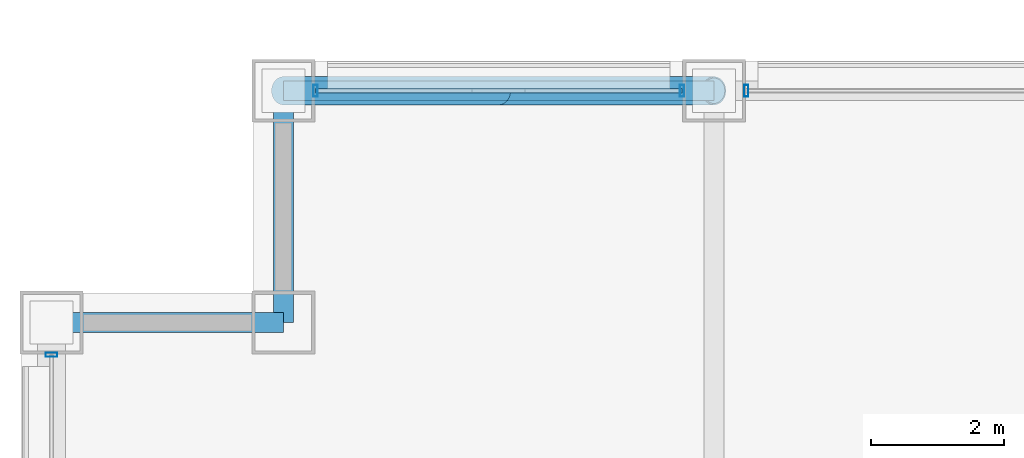
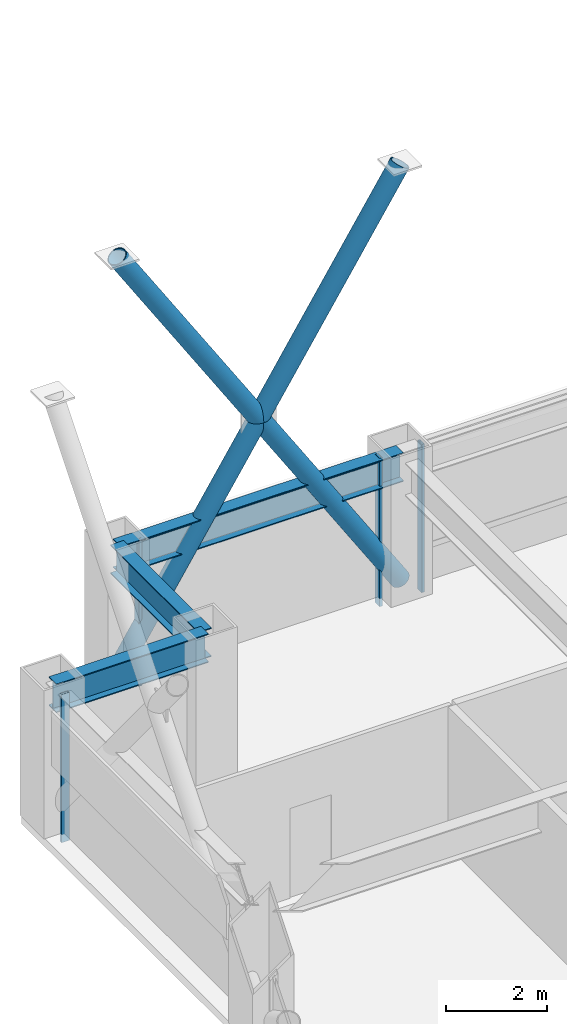
# One storey, part 18 of 33: 8 members, 3 beams, 3 elements without a shape of their own.
"""IFC4 building model written with IfcOpenShell, lengths in metres."""

from ifc_helpers import new_model, si_unit, direction, frame, origin, origin_2d, place, context, subcontext, project, spatial, hollow_rectangle, hollow_circle, i_section, extrude, material, layer, layer_set, material_profile, profile_set, type_object, element, aggregate, save


model = new_model("IFC4")

# Units and contexts
model_context = context("Model", 3, precision=1e-05, world=origin(), true_north=direction((0.0, 1.0)))
body_context = subcontext(model_context, "Body", "Model", "MODEL_VIEW")
ifc_project = project(units=[si_unit("LENGTHUNIT", "METRE"), si_unit("AREAUNIT", "SQUARE_METRE"), si_unit("VOLUMEUNIT", "CUBIC_METRE"), si_unit("PLANEANGLEUNIT", "RADIAN"), si_unit("MASSUNIT", "GRAM", prefix="KILO")], contexts=[model_context])

# Site, building, storey
site_placement = place(None, origin())
site = spatial("IfcSite", under=ifc_project, at=site_placement, CompositionType="ELEMENT")
building_placement = place(site_placement, origin())
building = spatial("IfcBuilding", under=site, at=building_placement, Name="Brelmoor Portico Tower", CompositionType="ELEMENT")
storey_placement = place(building_placement, frame((0.0, 0.0, 34.800048828125)))
storey = spatial("IfcBuildingStorey", under=building, at=storey_placement, Name="L08", CompositionType="ELEMENT", Elevation=34.800048828125)

# Beams
ifc_material_1 = material(Name="Steel Q355B", Category="steel")
ifc_material_profile_1 = material_profile(ifc_material_1, i_section(OverallWidth=0.300048828125, OverallDepth=0.699951171875, WebThickness=0.012939453125, FlangeThickness=0.02392578125, at=origin_2d()), Name="HN 700x300x13x24")
ifc_profile_set_1 = profile_set([ifc_material_profile_1], Name="Steel Q355B")
beam_type = type_object("IfcBeamType", Name="BM-SP-700", PredefinedType="SPANDREL", material=ifc_profile_set_1)
beam_1_placement = place(storey_placement, frame((-24.550048828125, 18.050048828125, 3.050048828125), z_axis=(1.0, 0.0, 0.0), x_axis=(0.0, 1.0, 0.0)))
element("IfcBeam", 1, at=beam_1_placement, inside=storey, type_object=beam_type, Name="L08 Perimeter Spandrel Beam SP-08", PredefinedType="SPANDREL", context=body_context, shape_type="SweptSolid", body=[
    extrude(i_section(OverallWidth=0.300048828125, OverallDepth=0.699951171875, WebThickness=0.012939453125, FlangeThickness=0.02392578125, at=origin_2d()), origin(), (0.0, 0.0, 1.0), 3.5),
])
beam_2_placement = place(storey_placement, frame((-21.050048828125, 21.550048828125, 3.050048828125), z_axis=(1.0, 0.0, 0.0), x_axis=(0.0, 1.0, 0.0)))
element("IfcBeam", 2, at=beam_2_placement, inside=storey, type_object=beam_type, Name="L08 Perimeter Spandrel Beam SP-10", PredefinedType="SPANDREL", context=body_context, shape_type="SweptSolid", body=[
    extrude(i_section(OverallWidth=0.300048828125, OverallDepth=0.699951171875, WebThickness=0.012939453125, FlangeThickness=0.02392578125, at=origin_2d()), origin(), (0.0, 0.0, 1.0), 6.5),
])
beam_3_placement = place(storey_placement, frame((-21.050048828125, 18.050048828125, 3.050048828125), z_axis=(0.0, 1.0, 0.0), x_axis=(-1.0, 0.0, 0.0)))
element("IfcBeam", 3, at=beam_3_placement, inside=storey, type_object=beam_type, Name="L08 Perimeter Spandrel Beam SP-19", PredefinedType="SPANDREL", context=body_context, shape_type="SweptSolid", body=[
    extrude(i_section(OverallWidth=0.300048828125, OverallDepth=0.699951171875, WebThickness=0.012939453125, FlangeThickness=0.02392578125, at=origin_2d()), origin(), (0.0, 0.0, 1.0), 3.5),
])

# Members
ifc_material_profile_2 = material_profile(ifc_material_1, hollow_circle(Radius=0.212890625, WallThickness=0.02001953125, at=origin_2d()), Name="CHS 426x20")
ifc_profile_set_2 = profile_set([ifc_material_profile_2], Name="Steel Q355B")
member_type_1 = type_object("IfcMemberType", Name="MB-BELT-DIAG1", PredefinedType="BRACE", material=ifc_profile_set_2)
member_1_placement = place(storey_placement, frame((-21.050048828125, 21.550048828125, 0.25), z_axis=(0.541183873462, 0.0, 0.840904284152), x_axis=(0.0, 1.0, 0.0)))
element("IfcMember", 4, at=member_1_placement, inside=storey, type_object=member_type_1, Name="L08 Continuous Mega-X Brace 011A", PredefinedType="BRACE", context=body_context, shape_type="SweptSolid", body=[
    extrude(hollow_circle(Radius=0.212890625, WallThickness=0.02001953125, at=origin_2d()), origin(), (0.0, 0.0, 1.0), 12.0107421875),
])
for number, where, z_axis, x_axis, name in (
    (5, (-14.550048828125, 21.550048828125, 0.25), (-0.541174623135, 0.0, 0.840910237347), (0.0, -1.0, 0.0), "L08 Split Mega-X Brace 011B1"),
    (6, (-17.800048828125, 21.550048828125, 5.300048828125), (-0.541193124039, 0.0, 0.840898330651), (0.0, -1.0, 0.0), "L08 Split Mega-X Brace 011B2"),
):
    element("IfcMember", number, at=place(storey_placement, frame(where, z_axis=z_axis, x_axis=x_axis)), inside=storey, type_object=member_type_1, Name=name, PredefinedType="BRACE", context=body_context, shape_type="SweptSolid", body=[
        extrude(hollow_circle(Radius=0.212890625, WallThickness=0.02001953125, at=origin_2d()), origin(), (0.0, 0.0, 1.0), 6.00537109375),
    ])

# Curtain wall, members
ifc_material_2 = material(Name="Anodised Aluminium Alloy 6063-T6", Category="aluminium")
ifc_layer_1 = layer(ifc_material_2, 0.179931640625)
ifc_layer_set_1 = layer_set([ifc_layer_1], Name="Anodised Aluminium Alloy 6063-T6")
curtain_wall_type_1 = type_object("IfcCurtainWallType", Name="CW-TOWER-Z1-XB", PredefinedType="NOTDEFINED", material=ifc_layer_set_1)
curtain_wall_1_placement = place(storey_placement, origin())
curtain_wall_1 = element("IfcCurtainWall", 7, at=curtain_wall_1_placement, inside=storey, type_object=curtain_wall_type_1, Name="L08 Curtain Wall CW-L08-2L-1", PredefinedType="NOTDEFINED")
ifc_material_profile_3 = material_profile(ifc_material_2, hollow_rectangle(XDim=0.06494140625, YDim=0.179931640625, WallThickness=0.00390625, at=origin_2d()), Name="ALU MULLION 65x180")
ifc_profile_set_3 = profile_set([ifc_material_profile_3], Name="Anodised Aluminium Alloy 6063-T6")
member_type_2 = type_object("IfcMemberType", Name="MB-CW-MULL-180", PredefinedType="MULLION", material=ifc_profile_set_3)
member_2_placement = place(storey_placement, frame((-20.56494140625, 21.550048828125, -0.199951171875), z_axis=(0.0, 0.0, 1.0), x_axis=(1.0, 0.0, 0.0)))
member_2 = element("IfcMember", 8, at=member_2_placement, type_object=member_type_2, Name="CW-L08-2L-1 Mullion 00", PredefinedType="MULLION", context=body_context, shape_type="SweptSolid", body=[
    extrude(hollow_rectangle(XDim=0.06494140625, YDim=0.179931640625, WallThickness=0.00390625, at=origin_2d()), origin(), (0.0, 0.0, 1.0), 3.599853515625),
])
member_3_placement = place(storey_placement, frame((-15.034912109375, 21.550048828125, -0.199951171875), z_axis=(0.0, 0.0, 1.0), x_axis=(1.0, 0.0, 0.0)))
member_3 = element("IfcMember", 9, at=member_3_placement, type_object=member_type_2, Name="CW-L08-2L-1 Mullion 01", PredefinedType="MULLION", context=body_context, shape_type="SweptSolid", body=[
    extrude(hollow_rectangle(XDim=0.06494140625, YDim=0.179931640625, WallThickness=0.00390625, at=origin_2d()), origin(), (0.0, 0.0, 1.0), 3.599853515625),
])

# Curtain wall, member
ifc_layer_2 = layer(ifc_material_2, 0.179931640625)
ifc_layer_set_2 = layer_set([ifc_layer_2], Name="Anodised Aluminium Alloy 6063-T6")
curtain_wall_type_2 = type_object("IfcCurtainWallType", Name="CW-TOWER-Z1", PredefinedType="NOTDEFINED", material=ifc_layer_set_2)
curtain_wall_2_placement = place(storey_placement, origin())
curtain_wall_2 = element("IfcCurtainWall", 10, at=curtain_wall_2_placement, inside=storey, type_object=curtain_wall_type_2, Name="L08 Curtain Wall CW-L08-2L-2", PredefinedType="NOTDEFINED")
member_4_placement = place(storey_placement, frame((-14.06494140625, 21.550048828125, -0.199951171875), z_axis=(0.0, 0.0, 1.0), x_axis=(1.0, 0.0, 0.0)))
member_4 = element("IfcMember", 11, at=member_4_placement, type_object=member_type_2, Name="CW-L08-2L-2 Mullion 00", PredefinedType="MULLION", context=body_context, shape_type="SweptSolid", body=[
    extrude(hollow_rectangle(XDim=0.06494140625, YDim=0.179931640625, WallThickness=0.00390625, at=origin_2d()), origin(), (0.0, 0.0, 1.0), 3.599853515625),
])
aggregate(curtain_wall_2, [member_4])

curtain_wall_3_placement = place(storey_placement, origin())
curtain_wall_3 = element("IfcCurtainWall", 12, at=curtain_wall_3_placement, inside=storey, type_object=curtain_wall_type_1, Name="L08 Curtain Wall CW-L08-03-3", PredefinedType="NOTDEFINED")
member_5_placement = place(storey_placement, frame((-24.550048828125, 17.56494140625, -0.199951171875), z_axis=(0.0, 0.0, 1.0), x_axis=(0.0, 1.0, 0.0)))
member_5 = element("IfcMember", 13, at=member_5_placement, type_object=member_type_2, Name="CW-L08-03-3 Mullion 01", PredefinedType="MULLION", context=body_context, shape_type="SweptSolid", body=[
    extrude(hollow_rectangle(XDim=0.06494140625, YDim=0.179931640625, WallThickness=0.00390625, at=origin_2d()), origin(), (0.0, 0.0, 1.0), 3.599853515625),
])
aggregate(curtain_wall_3, [member_5])

# Member
ifc_material_profile_4 = material_profile(ifc_material_2, hollow_rectangle(XDim=0.06494140625, YDim=0.139892578125, WallThickness=0.00390625, at=origin_2d()), Name="ALU TRANSOM 65x140")
ifc_profile_set_4 = profile_set([ifc_material_profile_4], Name="Anodised Aluminium Alloy 6063-T6")
member_type_3 = type_object("IfcMemberType", Name="MB-CW-TRAN-140", PredefinedType="USERDEFINED", material=ifc_profile_set_4)
member_6_placement = place(storey_placement, frame((-20.56494140625, 21.550048828125, 3.329833984375), z_axis=(1.0, 0.0, 0.0), x_axis=(0.0, 1.0, 0.0)))
member_6 = element("IfcMember", 14, at=member_6_placement, type_object=member_type_3, Name="CW-L08-2L-1 Transom 1-00", ObjectType="TRANSOM", PredefinedType="USERDEFINED", context=body_context, shape_type="SweptSolid", body=[
    extrude(hollow_rectangle(XDim=0.06494140625, YDim=0.139892578125, WallThickness=0.00390625, at=origin_2d()), origin(), (0.0, 0.0, 1.0), 5.530029296875),
])

aggregate(curtain_wall_1, [member_2, member_3, member_6])

save(model, "model.ifc")
